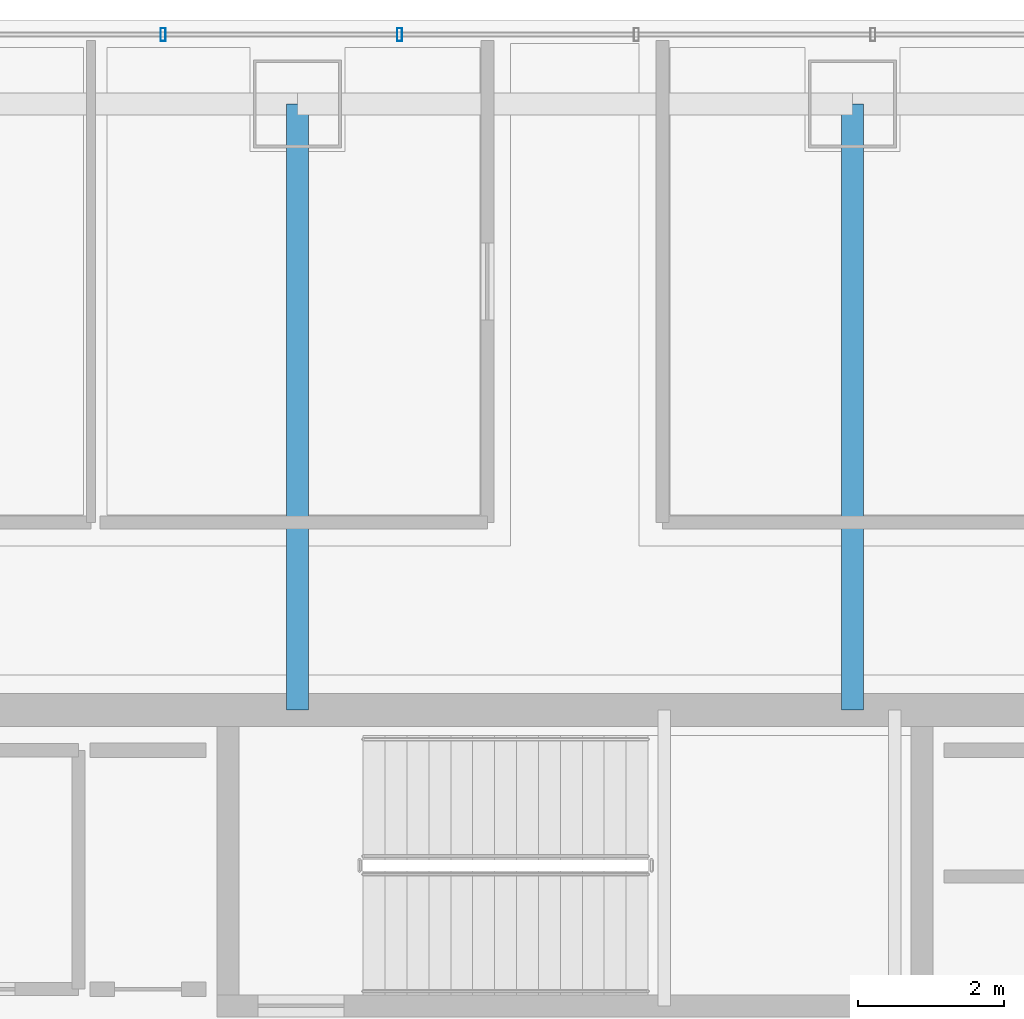
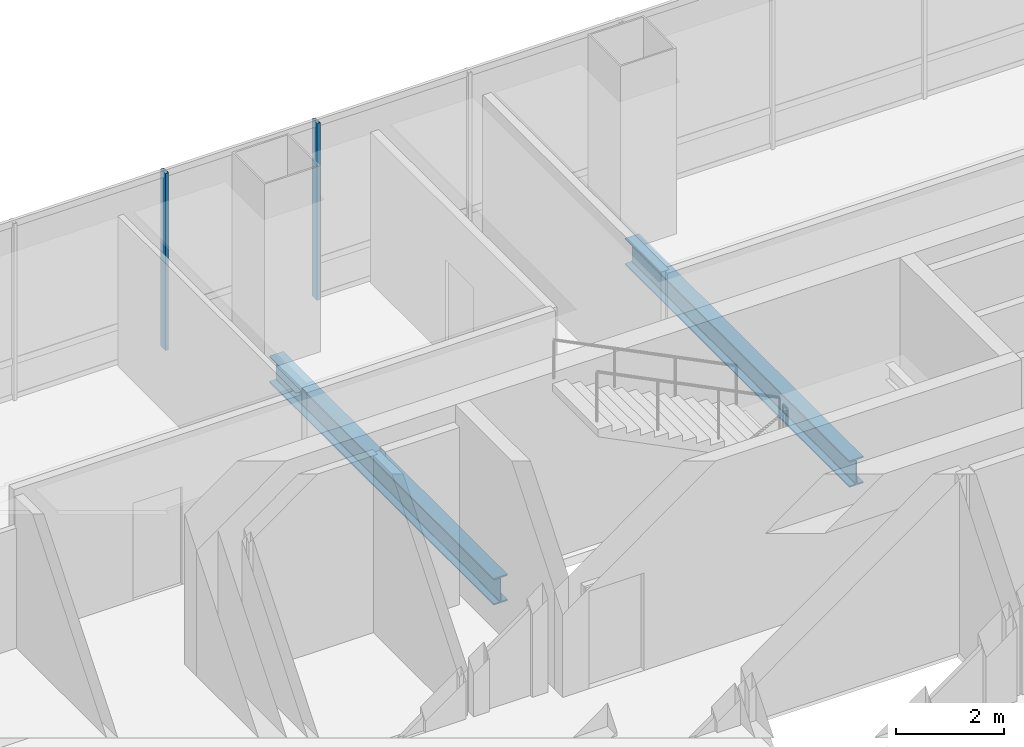
# One storey, part 27 of 43: 2 beams, 2 members, 1 element without a shape of its own.
"""IFC4 building model written with IfcOpenShell, lengths in metres."""

from ifc_helpers import new_model, si_unit, direction, frame, origin, origin_2d, place, context, subcontext, project, spatial, hollow_rectangle, i_section, extrude, material, material_profile, profile_set, type_object, element, aggregate, save


model = new_model("IFC4")

# Units and contexts
model_context = context("Model", 3, precision=1e-05, world=origin(), true_north=direction((0.0, 1.0)))
body_context = subcontext(model_context, "Body", "Model", "MODEL_VIEW")
ifc_project = project(units=[si_unit("LENGTHUNIT", "METRE"), si_unit("AREAUNIT", "SQUARE_METRE"), si_unit("VOLUMEUNIT", "CUBIC_METRE"), si_unit("PLANEANGLEUNIT", "RADIAN"), si_unit("MASSUNIT", "GRAM", prefix="KILO")], contexts=[model_context])

# Site, building, storey
site_placement = place(None, origin())
site = spatial("IfcSite", under=ifc_project, at=site_placement, CompositionType="ELEMENT")
building_placement = place(site_placement, origin())
building = spatial("IfcBuilding", under=site, at=building_placement, Name="Punatoya Terracotta Tower", CompositionType="ELEMENT")
storey_placement = place(building_placement, frame((0.0, 0.0, 321.60009765625)))
storey = spatial("IfcBuildingStorey", under=building, at=storey_placement, Name="L76", CompositionType="ELEMENT", Elevation=321.60009765625)

# Beams
ifc_material_1 = material(Name="Steel S355", Category="steel")
ifc_material_profile_1 = material_profile(ifc_material_1, i_section(OverallWidth=0.300048828125, OverallDepth=0.60009765625, WebThickness=0.015380859375, FlangeThickness=0.030029296875, FilletRadius=0.01806640625, at=origin_2d()))
ifc_profile_set_1 = profile_set([ifc_material_profile_1], Name="Steel S355")
beam_type = type_object("IfcBeamType", Name="BM-PRI-600", PredefinedType="BEAM", material=ifc_profile_set_1)
for number, where, z_axis, x_axis, name in (
    (1, (-3.800048828125, 9.199951171875, -0.5), (0.0, 1.0, 0.0), (-1.0, 0.0, 0.0), "BM-L76-PR-N2"),
    (2, (3.800048828125, 9.199951171875, -0.5), (0.0, 1.0, 0.0), (-1.0, 0.0, 0.0), "BM-L76-PR-N3"),
):
    element("IfcBeam", number, at=place(storey_placement, frame(where, z_axis=z_axis, x_axis=x_axis)), inside=storey, type_object=beam_type, Name=name, PredefinedType="BEAM", context=body_context, shape_type="SweptSolid", body=[
        extrude(i_section(OverallWidth=0.300048828125, OverallDepth=0.60009765625, WebThickness=0.015380859375, FlangeThickness=0.030029296875, FilletRadius=0.01806640625, at=origin_2d()), origin(), (0.0, 0.0, 1.0), 8.300048828125),
    ])

# Curtain wall, members
ifc_material_2 = material(Name="Aluminium 6063-T6 + Double Low-E Glass", Category="aluminium")
curtain_wall_type = type_object("IfcCurtainWallType", Name="CW-OBS", PredefinedType="NOTDEFINED", material=ifc_material_2)
curtain_wall_placement = place(storey_placement, origin())
curtain_wall = element("IfcCurtainWall", 3, at=curtain_wall_placement, inside=storey, type_object=curtain_wall_type, Name="L76 Curtain Wall CW-L76-N09-1", PredefinedType="NOTDEFINED")
ifc_material_3 = material(Name="Aluminium 6063-T6", Category="aluminium")
ifc_material_profile_2 = material_profile(ifc_material_3, hollow_rectangle(XDim=0.070068359375, YDim=0.179931640625, WallThickness=0.00390625, at=origin_2d()))
ifc_profile_set_2 = profile_set([ifc_material_profile_2], Name="Aluminium 6063-T6")
member_type = type_object("IfcMemberType", Name="CW-MUL-M3", PredefinedType="MULLION", material=ifc_profile_set_2)
member_1_placement = place(storey_placement, frame((-2.39990234375, 18.449951171875, 0.0), z_axis=(0.0, 0.0, 1.0), x_axis=(1.0, 0.0, 0.0)))
member_1 = element("IfcMember", 4, at=member_1_placement, type_object=member_type, Name="CW-L76-N09-1 Mullion 06", PredefinedType="MULLION", context=body_context, shape_type="SweptSolid", body=[
    extrude(hollow_rectangle(XDim=0.070068359375, YDim=0.179931640625, WallThickness=0.00390625, at=origin_2d()), origin(), (0.0, 0.0, 1.0), 4.0),
])
member_2_placement = place(storey_placement, frame((-5.639404296875, 18.449951171875, 0.0), z_axis=(0.0, 0.0, 1.0), x_axis=(1.0, 0.0, 0.0)))
member_2 = element("IfcMember", 5, at=member_2_placement, type_object=member_type, Name="CW-L76-N09-1 Mullion 07", PredefinedType="MULLION", context=body_context, shape_type="SweptSolid", body=[
    extrude(hollow_rectangle(XDim=0.070068359375, YDim=0.179931640625, WallThickness=0.00390625, at=origin_2d()), origin(), (0.0, 0.0, 1.0), 4.0),
])
aggregate(curtain_wall, [member_1, member_2])

save(model, "model.ifc")
